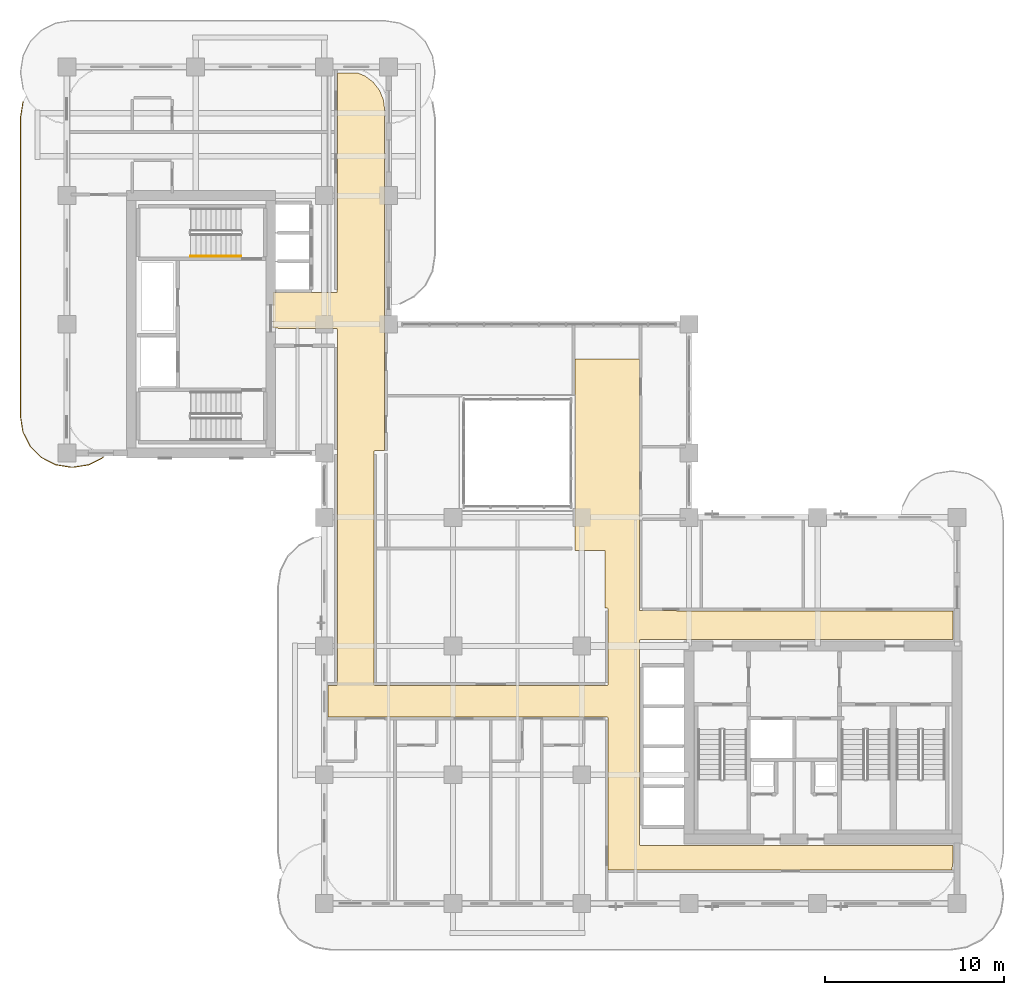
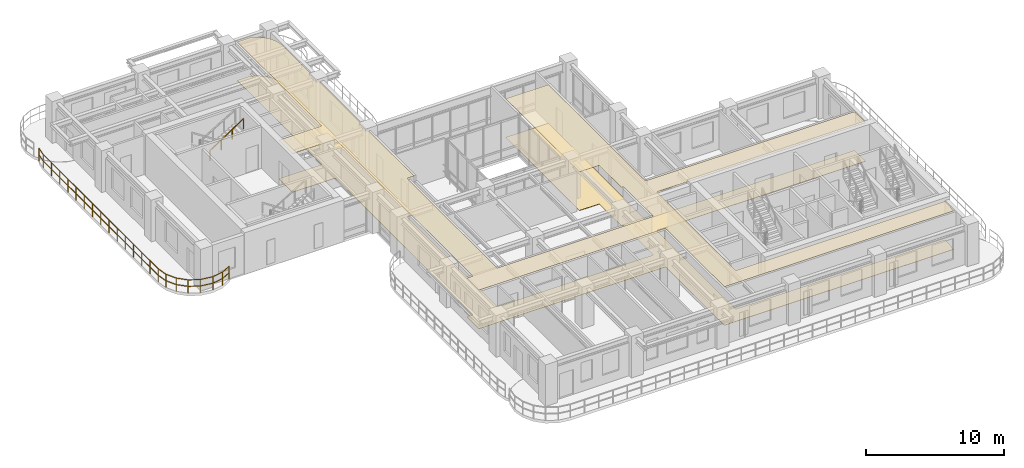
# One storey, part 19 of 20: 2 coverings, 2 railings.
"""IFC4 building model written with IfcOpenShell, lengths in metres."""

from ifc_helpers import new_model, si_unit, derived_unit, direction, frame, origin, origin_2d, place, context, subcontext, project, spatial, polyline, rectangle, outline, extrude, material, layer, layer_set, type_object, element, save


model = new_model("IFC4")

# Units and contexts
model_context = context("Model", 3, precision=1e-05, world=origin(), true_north=direction((0.0, 1.0)))
body_context = subcontext(model_context, "Body", "Model", "MODEL_VIEW")
ifc_project = project(units=[si_unit("LENGTHUNIT", "METRE"), si_unit("AREAUNIT", "SQUARE_METRE"), si_unit("VOLUMEUNIT", "CUBIC_METRE"), si_unit("PLANEANGLEUNIT", "RADIAN"), si_unit("MASSUNIT", "GRAM", prefix="KILO"), si_unit("THERMODYNAMICTEMPERATUREUNIT", "KELVIN"), si_unit("POWERUNIT", "WATT"), derived_unit("THERMALTRANSMITTANCEUNIT", [(si_unit("POWERUNIT", "WATT"), 1), (si_unit("AREAUNIT", "SQUARE_METRE"), -1), (si_unit("THERMODYNAMICTEMPERATUREUNIT", "KELVIN"), -1)])], contexts=[model_context])

# Site, building, storey
site_placement = place(None, origin())
site = spatial("IfcSite", under=ifc_project, at=site_placement, CompositionType="ELEMENT")
building_placement = place(site_placement, origin())
building = spatial("IfcBuilding", under=site, at=building_placement, Name="Zahravan Archway Hotel and Residences", CompositionType="ELEMENT")
storey_placement = place(building_placement, frame((0.0, 0.0, 122.89990234375)))
storey = spatial("IfcBuildingStorey", under=building, at=storey_placement, Name="L30", CompositionType="ELEMENT", Elevation=122.89990234375)

# Coverings
ifc_material_1 = material(Name="Perforated Acoustic Gypsum Ceiling")
ifc_layer_1 = layer(ifc_material_1, 0.02490234375, Name="Perforated Acoustic Gypsum Ceiling")
ifc_layer_set_1 = layer_set([ifc_layer_1], Name="Perforated Acoustic Gypsum Ceiling")
covering_type_1 = type_object("IfcCoveringType", Name="COV-CEIL-ACST", PredefinedType="CEILING", material=ifc_layer_set_1)
covering_1_placement = place(storey_placement, frame((0.0, 0.0, 3.425048828125)))
element("IfcCovering", 1, at=covering_1_placement, inside=storey, type_object=covering_type_1, Name="L30 Acoustic Corridor Ceiling", PredefinedType="CEILING", context=body_context, shape_type="SweptSolid", body=[
    extrude(outline(polyline([(32.09228515625, 14.754638671875), (32.04931640625, 14.73681640625), (32.0234375, 14.6982421875), (32.02001953125, 3.324951171875), (32.033447265625, 3.280517578125), (32.0693359375, 3.251220703125), (49.580078125, 3.2451171875), (49.580078125, 2.414306640625), (49.509521484375, 1.8798828125), (30.280029296875, 1.8798828125), (30.280029296875, 10.35009765625), (30.2666015625, 10.394287109375), (30.230712890625, 10.423828125), (14.6201171875, 10.429931640625), (14.6201171875, 12.18994140625), (15.050048828125, 12.18994140625), (15.094482421875, 12.20361328125), (15.123779296875, 12.239501953125), (15.1298828125, 32.10009765625), (15.116455078125, 32.144287109375), (15.08056640625, 32.173828125), (11.530029296875, 32.179931640625), (11.530029296875, 34.169921875), (15.050048828125, 34.169921875), (15.094482421875, 34.18359375), (15.123779296875, 34.219482421875), (15.1298828125, 46.469970703125), (16.24560546875, 46.469970703125), (16.689208984375, 46.286376953125), (17.14013671875, 45.940185546875), (17.486328125, 45.489013671875), (17.703857421875, 44.9638671875), (17.77001953125, 44.46142578125), (17.77001953125, 25.330078125), (17.25, 25.330078125), (17.20556640625, 25.31640625), (17.176025390625, 25.280517578125), (17.169921875, 12.27001953125), (17.18359375, 12.2255859375), (17.219482421875, 12.196044921875), (30.199951171875, 12.18994140625), (30.244384765625, 12.20361328125), (30.27392578125, 12.239501953125), (30.280029296875, 16.449951171875), (30.2666015625, 16.494384765625), (30.230712890625, 16.52392578125), (30.10009765625, 16.530029296875), (30.10009765625, 19.719970703125), (30.072998046875, 19.75), (28.429931640625, 19.75), (28.429931640625, 30.469970703125), (32.02001953125, 30.469970703125), (32.02001953125, 16.449951171875), (32.033447265625, 16.405517578125), (32.0693359375, 16.376220703125), (49.580078125, 16.3701171875), (49.580078125, 14.7548828125), (32.10009765625, 14.7548828125), (32.09228515625, 14.754638671875)])), origin(), (0.0, 0.0, 1.0), 0.025146484375),
])
ifc_material_2 = material(Name="Honed Margalla Limestone & Mortar Bed", Category="masonry")
ifc_layer_2 = layer(ifc_material_2, 0.030029296875, Name="Honed Margalla Limestone & Mortar Bed", Category="masonry")
ifc_layer_set_2 = layer_set([ifc_layer_2], Name="Honed Margalla Limestone & Mortar Bed")
covering_type_2 = type_object("IfcCoveringType", Name="COV-FLR-STONE", PredefinedType="FLOORING", material=ifc_layer_set_2)
covering_2_placement = place(storey_placement, origin())
element("IfcCovering", 2, at=covering_2_placement, inside=storey, type_object=covering_type_2, Name="L30 Circulation Floor Finish", PredefinedType="FLOORING", context=body_context, shape_type="SweptSolid", body=[
    extrude(outline(polyline([(32.09228515625, 14.754638671875), (32.04931640625, 14.73681640625), (32.0234375, 14.6982421875), (32.02001953125, 3.324951171875), (32.033447265625, 3.280517578125), (32.0693359375, 3.251220703125), (49.580078125, 3.2451171875), (49.580078125, 2.414306640625), (49.509521484375, 1.8798828125), (30.280029296875, 1.8798828125), (30.280029296875, 10.35009765625), (30.2666015625, 10.394287109375), (30.230712890625, 10.423828125), (14.6201171875, 10.429931640625), (14.6201171875, 12.18994140625), (15.050048828125, 12.18994140625), (15.094482421875, 12.20361328125), (15.123779296875, 12.239501953125), (15.1298828125, 32.10009765625), (15.116455078125, 32.144287109375), (15.08056640625, 32.173828125), (11.530029296875, 32.179931640625), (11.530029296875, 34.169921875), (15.050048828125, 34.169921875), (15.094482421875, 34.18359375), (15.123779296875, 34.219482421875), (15.1298828125, 46.469970703125), (16.24560546875, 46.469970703125), (16.689208984375, 46.286376953125), (17.14013671875, 45.940185546875), (17.486328125, 45.489013671875), (17.703857421875, 44.9638671875), (17.77001953125, 44.46142578125), (17.77001953125, 25.330078125), (17.25, 25.330078125), (17.20556640625, 25.31640625), (17.176025390625, 25.280517578125), (17.169921875, 12.27001953125), (17.18359375, 12.2255859375), (17.219482421875, 12.196044921875), (30.199951171875, 12.18994140625), (30.244384765625, 12.20361328125), (30.27392578125, 12.239501953125), (30.280029296875, 16.449951171875), (30.2666015625, 16.494384765625), (30.230712890625, 16.52392578125), (30.10009765625, 16.530029296875), (30.10009765625, 19.719970703125), (30.072998046875, 19.75), (28.429931640625, 19.75), (28.429931640625, 30.469970703125), (32.02001953125, 30.469970703125), (32.02001953125, 16.449951171875), (32.033447265625, 16.405517578125), (32.0693359375, 16.376220703125), (49.580078125, 16.3701171875), (49.580078125, 14.7548828125), (32.10009765625, 14.7548828125), (32.09228515625, 14.754638671875)])), origin(), (0.0, 0.0, 1.0), 0.030029296875),
])

# Railings
ifc_material_3 = material(Name="Bronze & Laminated Glass Balustrade", Category="glass")
railing_type_1 = type_object("IfcRailingType", Name="RL-BAL-1200", PredefinedType="BALUSTRADE", material=ifc_material_3)
railing_1_placement = place(storey_placement, frame((2.025146484375, 24.9443359375, 0.0)))
element("IfcRailing", 3, at=railing_1_placement, inside=storey, type_object=railing_type_1, Name="L30 Balustrade RL-SLB-BAL-L30-WB-1", PredefinedType="BALUSTRADE", context=body_context, shape_type="SweptSolid", body=[
    extrude(rectangle(XDim=0.048095703125, YDim=0.048095703125, at=origin_2d()), frame((0.0, 0.0, 1.17578125), z_axis=(-0.891006060389, -0.453991409995, 0.0), x_axis=(0.453991409995, -0.891006060389, 0.0)), (0.0, 0.0, 1.0), 0.8916015625),
    extrude(rectangle(XDim=0.048095703125, YDim=0.048095703125, at=origin_2d()), frame((0.0, 0.0, 0.60009765625), z_axis=(-0.891006060389, -0.453991409995, 0.0), x_axis=(0.453991409995, -0.891006060389, 0.0)), (0.0, 0.0, 1.0), 0.8916015625),
    extrude(rectangle(XDim=0.048095703125, YDim=0.048095703125, at=origin_2d()), frame((-0.79443359375, -0.40478515625, 1.17578125), z_axis=(-0.987658397726, -0.156623399917, 0.0), x_axis=(0.156623399917, -0.987658397726, 0.0)), (0.0, 0.0, 1.0), 0.8916015625),
    extrude(rectangle(XDim=0.048095703125, YDim=0.048095703125, at=origin_2d()), frame((-0.79443359375, -0.40478515625, 0.60009765625), z_axis=(-0.987658397726, -0.156623399917, 0.0), x_axis=(0.156623399917, -0.987658397726, 0.0)), (0.0, 0.0, 1.0), 0.8916015625),
    extrude(rectangle(XDim=0.048095703125, YDim=0.048095703125, at=origin_2d()), frame((-1.675048828125, -0.54443359375, 1.17578125), z_axis=(-1.0, 0.0, 0.0), x_axis=(0.0, -1.0, 0.0)), (0.0, 0.0, 1.0), 0.10009765625),
    extrude(rectangle(XDim=0.048095703125, YDim=0.048095703125, at=origin_2d()), frame((-1.675048828125, -0.54443359375, 0.60009765625), z_axis=(-1.0, 0.0, 0.0), x_axis=(0.0, -1.0, 0.0)), (0.0, 0.0, 1.0), 0.10009765625),
    extrude(rectangle(XDim=0.048095703125, YDim=0.048095703125, at=origin_2d()), frame((-1.775146484375, -0.54443359375, 1.17578125), z_axis=(-0.987658397726, 0.156623399917, 0.0), x_axis=(-0.156623399917, -0.987658397726, 0.0)), (0.0, 0.0, 1.0), 0.8916015625),
    extrude(rectangle(XDim=0.048095703125, YDim=0.048095703125, at=origin_2d()), frame((-1.775146484375, -0.54443359375, 0.60009765625), z_axis=(-0.987658397726, 0.156623399917, 0.0), x_axis=(-0.156623399917, -0.987658397726, 0.0)), (0.0, 0.0, 1.0), 0.8916015625),
    extrude(rectangle(XDim=0.048095703125, YDim=0.048095703125, at=origin_2d()), frame((-2.65576171875, -0.40478515625, 1.17578125), z_axis=(-0.891062476022, 0.45388067135, 0.0), x_axis=(-0.45388067135, -0.891062476022, 0.0)), (0.0, 0.0, 1.0), 0.891845703125),
    extrude(rectangle(XDim=0.048095703125, YDim=0.048095703125, at=origin_2d()), frame((-2.65576171875, -0.40478515625, 0.60009765625), z_axis=(-0.891062476022, 0.45388067135, 0.0), x_axis=(-0.45388067135, -0.891062476022, 0.0)), (0.0, 0.0, 1.0), 0.891845703125),
    extrude(rectangle(XDim=0.048095703125, YDim=0.048095703125, at=origin_2d()), frame((-3.450439453125, 0.0, 1.17578125), z_axis=(-0.707106781187, 0.707106781187, 0.0), x_axis=(-0.707106781187, -0.707106781187, 0.0)), (0.0, 0.0, 1.0), 0.891357421875),
    extrude(rectangle(XDim=0.048095703125, YDim=0.048095703125, at=origin_2d()), frame((-3.450439453125, 0.0, 0.60009765625), z_axis=(-0.707106781187, 0.707106781187, 0.0), x_axis=(-0.707106781187, -0.707106781187, 0.0)), (0.0, 0.0, 1.0), 0.891357421875),
    extrude(rectangle(XDim=0.048095703125, YDim=0.048095703125, at=origin_2d()), frame((-4.080810546875, 0.63037109375, 1.17578125), z_axis=(-0.45388067135, 0.891062476022, 0.0), x_axis=(-0.891062476022, -0.45388067135, 0.0)), (0.0, 0.0, 1.0), 0.891845703125),
    extrude(rectangle(XDim=0.048095703125, YDim=0.048095703125, at=origin_2d()), frame((-4.080810546875, 0.63037109375, 0.60009765625), z_axis=(-0.45388067135, 0.891062476022, 0.0), x_axis=(-0.891062476022, -0.45388067135, 0.0)), (0.0, 0.0, 1.0), 0.891845703125),
    extrude(rectangle(XDim=0.048095703125, YDim=0.048095703125, at=origin_2d()), frame((-4.485595703125, 1.425048828125, 1.17578125), z_axis=(-0.156623399917, 0.987658397726, 0.0), x_axis=(-0.987658397726, -0.156623399917, 0.0)), (0.0, 0.0, 1.0), 0.8916015625),
    extrude(rectangle(XDim=0.048095703125, YDim=0.048095703125, at=origin_2d()), frame((-4.485595703125, 1.425048828125, 0.60009765625), z_axis=(-0.156623399917, 0.987658397726, 0.0), x_axis=(-0.987658397726, -0.156623399917, 0.0)), (0.0, 0.0, 1.0), 0.8916015625),
    extrude(rectangle(XDim=0.048095703125, YDim=0.048095703125, at=origin_2d()), frame((-4.625244140625, 2.3056640625, 1.17578125), z_axis=(0.0, 1.0, 0.0), x_axis=(-1.0, 0.0, 0.0)), (0.0, 0.0, 1.0), 16.699951171875),
    extrude(rectangle(XDim=0.048095703125, YDim=0.048095703125, at=origin_2d()), frame((-4.625244140625, 2.3056640625, 0.60009765625), z_axis=(0.0, 1.0, 0.0), x_axis=(-1.0, 0.0, 0.0)), (0.0, 0.0, 1.0), 16.699951171875),
    extrude(rectangle(XDim=0.048095703125, YDim=0.048095703125, at=origin_2d()), frame((-4.625244140625, 19.005615234375, 1.17578125), z_axis=(0.156581054338, 0.98766511198, 0.0), x_axis=(-0.98766511198, 0.156581054338, 0.0)), (0.0, 0.0, 1.0), 0.891845703125),
    extrude(rectangle(XDim=0.048095703125, YDim=0.048095703125, at=origin_2d()), frame((-4.625244140625, 19.005615234375, 0.60009765625), z_axis=(0.156581054338, 0.98766511198, 0.0), x_axis=(-0.98766511198, 0.156581054338, 0.0)), (0.0, 0.0, 1.0), 0.891845703125),
    extrude(rectangle(XDim=0.0419921875, YDim=0.0419921875, at=origin_2d()), origin(), (0.0, 0.0, 1.0), 1.15185546875),
    extrude(rectangle(XDim=0.0419921875, YDim=0.0419921875, at=origin_2d()), frame((-0.79443359375, -0.40478515625, 0.0)), (0.0, 0.0, 1.0), 1.15185546875),
    extrude(rectangle(XDim=0.0419921875, YDim=0.0419921875, at=origin_2d()), frame((-1.675048828125, -0.54443359375, 0.0)), (0.0, 0.0, 1.0), 1.15185546875),
    extrude(rectangle(XDim=0.0419921875, YDim=0.0419921875, at=origin_2d()), frame((-2.65576171875, -0.40478515625, 0.0)), (0.0, 0.0, 1.0), 1.15185546875),
    extrude(rectangle(XDim=0.0419921875, YDim=0.0419921875, at=origin_2d()), frame((-3.450439453125, 0.0, 0.0)), (0.0, 0.0, 1.0), 1.15185546875),
    extrude(rectangle(XDim=0.0419921875, YDim=0.0419921875, at=origin_2d()), frame((-4.080810546875, 0.63037109375, 0.0)), (0.0, 0.0, 1.0), 1.15185546875),
    extrude(rectangle(XDim=0.0419921875, YDim=0.0419921875, at=origin_2d()), frame((-4.485595703125, 1.425048828125, 0.0)), (0.0, 0.0, 1.0), 1.15185546875),
    extrude(rectangle(XDim=0.0419921875, YDim=0.0419921875, at=origin_2d()), frame((-4.625244140625, 2.3056640625, 0.0)), (0.0, 0.0, 1.0), 1.15185546875),
    extrude(rectangle(XDim=0.0419921875, YDim=0.0419921875, at=origin_2d()), frame((-4.625244140625, 3.49853515625, 0.0)), (0.0, 0.0, 1.0), 1.15185546875),
    extrude(rectangle(XDim=0.0419921875, YDim=0.0419921875, at=origin_2d()), frame((-4.625244140625, 4.69140625, 0.0)), (0.0, 0.0, 1.0), 1.15185546875),
    extrude(rectangle(XDim=0.0419921875, YDim=0.0419921875, at=origin_2d()), frame((-4.625244140625, 5.88427734375, 0.0)), (0.0, 0.0, 1.0), 1.15185546875),
    extrude(rectangle(XDim=0.0419921875, YDim=0.0419921875, at=origin_2d()), frame((-4.625244140625, 7.0771484375, 0.0)), (0.0, 0.0, 1.0), 1.15185546875),
    extrude(rectangle(XDim=0.0419921875, YDim=0.0419921875, at=origin_2d()), frame((-4.625244140625, 8.27001953125, 0.0)), (0.0, 0.0, 1.0), 1.15185546875),
    extrude(rectangle(XDim=0.0419921875, YDim=0.0419921875, at=origin_2d()), frame((-4.625244140625, 9.462890625, 0.0)), (0.0, 0.0, 1.0), 1.15185546875),
    extrude(rectangle(XDim=0.0419921875, YDim=0.0419921875, at=origin_2d()), frame((-4.625244140625, 10.65576171875, 0.0)), (0.0, 0.0, 1.0), 1.15185546875),
    extrude(rectangle(XDim=0.0419921875, YDim=0.0419921875, at=origin_2d()), frame((-4.625244140625, 11.848388671875, 0.0)), (0.0, 0.0, 1.0), 1.15185546875),
    extrude(rectangle(XDim=0.0419921875, YDim=0.0419921875, at=origin_2d()), frame((-4.625244140625, 13.041259765625, 0.0)), (0.0, 0.0, 1.0), 1.15185546875),
    extrude(rectangle(XDim=0.0419921875, YDim=0.0419921875, at=origin_2d()), frame((-4.625244140625, 14.234130859375, 0.0)), (0.0, 0.0, 1.0), 1.15185546875),
    extrude(rectangle(XDim=0.0419921875, YDim=0.0419921875, at=origin_2d()), frame((-4.625244140625, 15.427001953125, 0.0)), (0.0, 0.0, 1.0), 1.15185546875),
    extrude(rectangle(XDim=0.0419921875, YDim=0.0419921875, at=origin_2d()), frame((-4.625244140625, 16.619873046875, 0.0)), (0.0, 0.0, 1.0), 1.15185546875),
    extrude(rectangle(XDim=0.0419921875, YDim=0.0419921875, at=origin_2d()), frame((-4.625244140625, 17.812744140625, 0.0)), (0.0, 0.0, 1.0), 1.15185546875),
    extrude(rectangle(XDim=0.0419921875, YDim=0.0419921875, at=origin_2d()), frame((-4.625244140625, 19.005615234375, 0.0)), (0.0, 0.0, 1.0), 1.15185546875),
    extrude(rectangle(XDim=0.0419921875, YDim=0.0419921875, at=origin_2d()), frame((-4.485595703125, 19.886474609375, 0.0)), (0.0, 0.0, 1.0), 1.15185546875),
])
ifc_material_4 = material(Name="Brushed Stainless Steel", Category="steel")
railing_type_2 = type_object("IfcRailingType", Name="RL-STH-900", PredefinedType="HANDRAIL", material=ifc_material_4)
railing_2_placement = place(storey_placement, frame((6.929931640625, 36.2099609375, 2.018310546875)))
element("IfcRailing", 4, at=railing_2_placement, inside=storey, type_object=railing_type_2, Name="L30 ST-B2 stair handrail 2", PredefinedType="HANDRAIL", context=body_context, shape_type="SweptSolid", body=[
    extrude(rectangle(XDim=0.048095703125, YDim=0.048095703125, at=origin_2d()), frame((0.0, 0.0, 0.8759765625), z_axis=(0.83435981716, 0.0, 0.551220187865), x_axis=(0.0, 1.0, 0.0)), (0.0, 0.0, 1.0), 3.35595703125),
    extrude(rectangle(XDim=0.0419921875, YDim=0.0419921875, at=origin_2d()), origin(), (0.0, 0.0, 1.0), 0.851806640625),
    extrude(rectangle(XDim=0.0419921875, YDim=0.0419921875, at=origin_2d()), frame((0.933349609375, 0.0, 0.61669921875)), (0.0, 0.0, 1.0), 0.851806640625),
    extrude(rectangle(XDim=0.0419921875, YDim=0.0419921875, at=origin_2d()), frame((1.86669921875, 0.0, 1.233154296875)), (0.0, 0.0, 1.0), 0.851806640625),
    extrude(rectangle(XDim=0.0419921875, YDim=0.0419921875, at=origin_2d()), frame((2.800048828125, 0.0, 1.849853515625)), (0.0, 0.0, 1.0), 0.851806640625),
])

save(model, "model.ifc")
